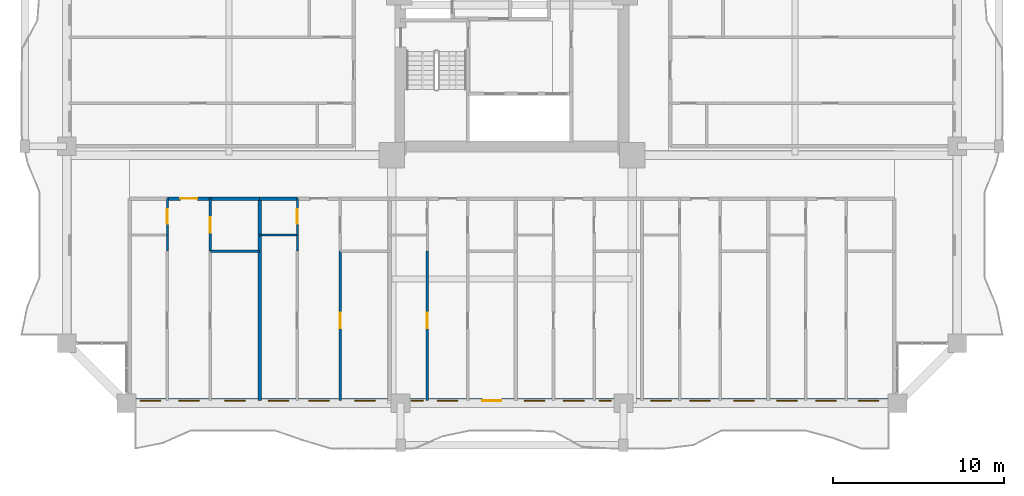
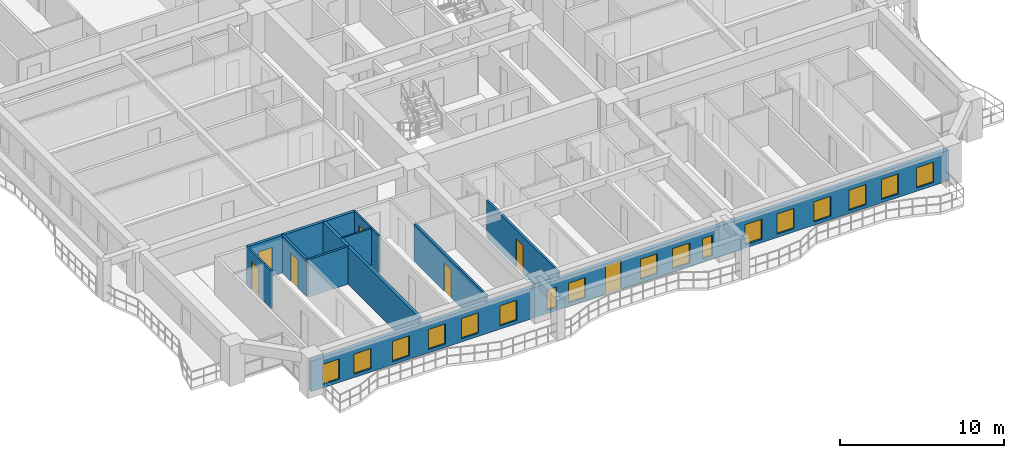
# One storey, part 14 of 28: 17 windows, 14 walls, 7 doors, 24 openings.
"""IFC4 building model written with IfcOpenShell, lengths in metres."""

from ifc_helpers import new_model, si_unit, direction, frame, frame_2d, origin, place, context, subcontext, project, spatial, rectangle, extrude, source, transform, mapped, material, layer, layer_set, type_object, element, fill, save


model = new_model("IFC4")

# Units and contexts
model_context = context("Model", 3, precision=1e-05, world=origin(), true_north=direction((0.0, 1.0)))
body_context = subcontext(model_context, "Body", "Model", "MODEL_VIEW")
ifc_project = project(units=[si_unit("LENGTHUNIT", "METRE"), si_unit("AREAUNIT", "SQUARE_METRE"), si_unit("VOLUMEUNIT", "CUBIC_METRE"), si_unit("PLANEANGLEUNIT", "RADIAN"), si_unit("MASSUNIT", "GRAM", prefix="KILO")], contexts=[model_context])

# Site, building, storey
site_placement = place(None, origin())
site = spatial("IfcSite", under=ifc_project, at=site_placement, CompositionType="ELEMENT")
building_placement = place(site_placement, origin())
building = spatial("IfcBuilding", under=site, at=building_placement, Name="Saelheon Loggia Tower", CompositionType="ELEMENT")
storey_placement = place(building_placement, frame((0.0, 0.0, 25.39990234375)))
storey = spatial("IfcBuildingStorey", under=building, at=storey_placement, Name="L07", CompositionType="ELEMENT", Elevation=25.39990234375)

# Wall, openings, windows, door
ifc_material_1 = material(Name="Architectural Precast Concrete C40/50", Category="concrete")
ifc_layer_1 = layer(ifc_material_1, 0.280029296875)
ifc_layer_set_1 = layer_set([ifc_layer_1], Name="Architectural Precast Concrete C40/50")
wall_type_1 = type_object("IfcWallType", Name="Wall_Ext_Loggia_280", PredefinedType="SOLIDWALL", material=ifc_layer_set_1)
wall_1_placement = place(storey_placement, frame((15.5, 3.139892578125, 0.0), z_axis=(0.0, 0.0, 1.0), x_axis=(1.0, 0.0, 0.0)))
wall_1 = element("IfcWall", 1, at=wall_1_placement, inside=storey, type_object=wall_type_1, Name="L07 South Loggia Inner Wall", PredefinedType="SOLIDWALL", context=body_context, shape_type="SweptSolid", body=[
    extrude(rectangle(XDim=45.0, YDim=0.280029296875, at=frame_2d((22.5, 0.0))), origin(), (0.0, 0.0, 1.0), 2.280029296875),
])
opening_1_placement = place(wall_1_placement, frame((0.784912109375, 0.0, 0.25)))
opening_1 = element("IfcOpeningElement", 2, at=opening_1_placement, cuts=wall_1, Name="Opening WN-03", PredefinedType="OPENING", context=body_context, shape_type="SweptSolid", body=[
    extrude(rectangle(XDim=1.199951171875, YDim=1.5, at=frame_2d((0.60009765625, 0.75))), frame((0.0, 0.152099609375, 0.0), z_axis=(0.0, -1.0, 0.0), x_axis=(1.0, 0.0, 0.0)), (0.0, 0.0, 1.0), 0.303955078125),
])
opening_2_placement = place(wall_1_placement, frame((3.03271484375, 0.0, 0.25)))
opening_2 = element("IfcOpeningElement", 3, at=opening_2_placement, cuts=wall_1, Name="Opening WN-03", PredefinedType="OPENING", context=body_context, shape_type="SweptSolid", body=[
    extrude(rectangle(XDim=1.199951171875, YDim=1.5, at=frame_2d((0.60009765625, 0.75))), frame((0.0, 0.152099609375, 0.0), z_axis=(0.0, -1.0, 0.0), x_axis=(1.0, 0.0, 0.0)), (0.0, 0.0, 1.0), 0.303955078125),
])
opening_3_placement = place(wall_1_placement, frame((5.72705078125, 0.0, 0.25)))
opening_3 = element("IfcOpeningElement", 4, at=opening_3_placement, cuts=wall_1, Name="Opening WN-03", PredefinedType="OPENING", context=body_context, shape_type="SweptSolid", body=[
    extrude(rectangle(XDim=1.199951171875, YDim=1.5, at=frame_2d((0.60009765625, 0.75))), frame((0.0, 0.152099609375, 0.0), z_axis=(0.0, -1.0, 0.0), x_axis=(1.0, 0.0, 0.0)), (0.0, 0.0, 1.0), 0.303955078125),
])
opening_4_placement = place(wall_1_placement, frame((8.268798828125, 0.0, 0.25)))
opening_4 = element("IfcOpeningElement", 5, at=opening_4_placement, cuts=wall_1, Name="Opening WN-03", PredefinedType="OPENING", context=body_context, shape_type="SweptSolid", body=[
    extrude(rectangle(XDim=1.199951171875, YDim=1.5, at=frame_2d((0.60009765625, 0.75))), frame((0.0, 0.152099609375, 0.0), z_axis=(0.0, -1.0, 0.0), x_axis=(1.0, 0.0, 0.0)), (0.0, 0.0, 1.0), 0.303955078125),
])
opening_5_placement = place(wall_1_placement, frame((10.621337890625, 0.0, 0.25)))
opening_5 = element("IfcOpeningElement", 6, at=opening_5_placement, cuts=wall_1, Name="Opening WN-03", PredefinedType="OPENING", context=body_context, shape_type="SweptSolid", body=[
    extrude(rectangle(XDim=1.199951171875, YDim=1.5, at=frame_2d((0.60009765625, 0.75))), frame((0.0, 0.152099609375, 0.0), z_axis=(0.0, -1.0, 0.0), x_axis=(1.0, 0.0, 0.0)), (0.0, 0.0, 1.0), 0.303955078125),
])
opening_6_placement = place(wall_1_placement, frame((13.31591796875, 0.0, 0.25)))
opening_6 = element("IfcOpeningElement", 7, at=opening_6_placement, cuts=wall_1, Name="Opening WN-03", PredefinedType="OPENING", context=body_context, shape_type="SweptSolid", body=[
    extrude(rectangle(XDim=1.199951171875, YDim=1.5, at=frame_2d((0.60009765625, 0.75))), frame((0.0, 0.152099609375, 0.0), z_axis=(0.0, -1.0, 0.0), x_axis=(1.0, 0.0, 0.0)), (0.0, 0.0, 1.0), 0.303955078125),
])
opening_7_placement = place(wall_1_placement, frame((16.623779296875, 0.0, 0.25)))
opening_7 = element("IfcOpeningElement", 8, at=opening_7_placement, cuts=wall_1, Name="Opening WN-06", PredefinedType="OPENING", context=body_context, shape_type="SweptSolid", body=[
    extrude(rectangle(XDim=0.699951171875, YDim=1.5, at=frame_2d((0.35009765625, 0.75))), frame((0.0, 0.152099609375, 0.0), z_axis=(0.0, -1.0, 0.0), x_axis=(1.0, 0.0, 0.0)), (0.0, 0.0, 1.0), 0.303955078125),
])
opening_8_placement = place(wall_1_placement, frame((18.14111328125, 0.0, 0.25)))
opening_8 = element("IfcOpeningElement", 9, at=opening_8_placement, cuts=wall_1, Name="Opening WN-03", PredefinedType="OPENING", context=body_context, shape_type="SweptSolid", body=[
    extrude(rectangle(XDim=1.199951171875, YDim=1.5, at=frame_2d((0.60009765625, 0.75))), frame((0.0, 0.152099609375, 0.0), z_axis=(0.0, -1.0, 0.0), x_axis=(1.0, 0.0, 0.0)), (0.0, 0.0, 1.0), 0.303955078125),
])
opening_9_placement = place(wall_1_placement, frame((21.873779296875, 0.0, 0.0), z_axis=(0.0, 0.0, 1.0), x_axis=(-1.0, 0.0, 0.0)))
opening_9 = element("IfcOpeningElement", 10, at=opening_9_placement, cuts=wall_1, Name="Opening TD1", PredefinedType="OPENING", context=body_context, shape_type="SweptSolid", body=[
    extrude(rectangle(XDim=1.10009765625, YDim=2.14990234375, at=frame_2d((0.550048828125, 1.074951171875))), frame((0.0, 0.152099609375, 0.0), z_axis=(0.0, -1.0, 0.0), x_axis=(1.0, 0.0, 0.0)), (0.0, 0.0, 1.0), 0.303955078125),
])
opening_10_placement = place(wall_1_placement, frame((23.22314453125, 0.0, 0.25)))
opening_10 = element("IfcOpeningElement", 11, at=opening_10_placement, cuts=wall_1, Name="Opening WN-03", PredefinedType="OPENING", context=body_context, shape_type="SweptSolid", body=[
    extrude(rectangle(XDim=1.199951171875, YDim=1.5, at=frame_2d((0.60009765625, 0.75))), frame((0.0, 0.152099609375, 0.0), z_axis=(0.0, -1.0, 0.0), x_axis=(1.0, 0.0, 0.0)), (0.0, 0.0, 1.0), 0.303955078125),
])
opening_11_placement = place(wall_1_placement, frame((25.506591796875, 0.0, 0.25)))
opening_11 = element("IfcOpeningElement", 12, at=opening_11_placement, cuts=wall_1, Name="Opening WN-03", PredefinedType="OPENING", context=body_context, shape_type="SweptSolid", body=[
    extrude(rectangle(XDim=1.199951171875, YDim=1.5, at=frame_2d((0.60009765625, 0.75))), frame((0.0, 0.152099609375, 0.0), z_axis=(0.0, -1.0, 0.0), x_axis=(1.0, 0.0, 0.0)), (0.0, 0.0, 1.0), 0.303955078125),
])
opening_12_placement = place(wall_1_placement, frame((27.599853515625, 0.0, 0.25)))
opening_12 = element("IfcOpeningElement", 13, at=opening_12_placement, cuts=wall_1, Name="Opening WN-06", PredefinedType="OPENING", context=body_context, shape_type="SweptSolid", body=[
    extrude(rectangle(XDim=0.699951171875, YDim=1.5, at=frame_2d((0.35009765625, 0.75))), frame((0.0, 0.152099609375, 0.0), z_axis=(0.0, -1.0, 0.0), x_axis=(1.0, 0.0, 0.0)), (0.0, 0.0, 1.0), 0.303955078125),
])
opening_13_placement = place(wall_1_placement, frame((30.5888671875, 0.0, 0.25)))
opening_13 = element("IfcOpeningElement", 14, at=opening_13_placement, cuts=wall_1, Name="Opening WN-03", PredefinedType="OPENING", context=body_context, shape_type="SweptSolid", body=[
    extrude(rectangle(XDim=1.199951171875, YDim=1.5, at=frame_2d((0.60009765625, 0.75))), frame((0.0, 0.152099609375, 0.0), z_axis=(0.0, -1.0, 0.0), x_axis=(1.0, 0.0, 0.0)), (0.0, 0.0, 1.0), 0.303955078125),
])
opening_14_placement = place(wall_1_placement, frame((32.8720703125, 0.0, 0.25)))
opening_14 = element("IfcOpeningElement", 15, at=opening_14_placement, cuts=wall_1, Name="Opening WN-03", PredefinedType="OPENING", context=body_context, shape_type="SweptSolid", body=[
    extrude(rectangle(XDim=1.199951171875, YDim=1.5, at=frame_2d((0.60009765625, 0.75))), frame((0.0, 0.152099609375, 0.0), z_axis=(0.0, -1.0, 0.0), x_axis=(1.0, 0.0, 0.0)), (0.0, 0.0, 1.0), 0.303955078125),
])
opening_15_placement = place(wall_1_placement, frame((35.455078125, 0.0, 0.25)))
opening_15 = element("IfcOpeningElement", 16, at=opening_15_placement, cuts=wall_1, Name="Opening WN-03", PredefinedType="OPENING", context=body_context, shape_type="SweptSolid", body=[
    extrude(rectangle(XDim=1.199951171875, YDim=1.5, at=frame_2d((0.60009765625, 0.75))), frame((0.0, 0.152099609375, 0.0), z_axis=(0.0, -1.0, 0.0), x_axis=(1.0, 0.0, 0.0)), (0.0, 0.0, 1.0), 0.303955078125),
])
opening_16_placement = place(wall_1_placement, frame((37.954345703125, 0.0, 0.25)))
opening_16 = element("IfcOpeningElement", 17, at=opening_16_placement, cuts=wall_1, Name="Opening WN-03", PredefinedType="OPENING", context=body_context, shape_type="SweptSolid", body=[
    extrude(rectangle(XDim=1.199951171875, YDim=1.5, at=frame_2d((0.60009765625, 0.75))), frame((0.0, 0.152099609375, 0.0), z_axis=(0.0, -1.0, 0.0), x_axis=(1.0, 0.0, 0.0)), (0.0, 0.0, 1.0), 0.303955078125),
])
opening_17_placement = place(wall_1_placement, frame((40.23779296875, 0.0, 0.25)))
opening_17 = element("IfcOpeningElement", 18, at=opening_17_placement, cuts=wall_1, Name="Opening WN-03", PredefinedType="OPENING", context=body_context, shape_type="SweptSolid", body=[
    extrude(rectangle(XDim=1.199951171875, YDim=1.5, at=frame_2d((0.60009765625, 0.75))), frame((0.0, 0.152099609375, 0.0), z_axis=(0.0, -1.0, 0.0), x_axis=(1.0, 0.0, 0.0)), (0.0, 0.0, 1.0), 0.303955078125),
])
opening_18_placement = place(wall_1_placement, frame((42.715576171875, 0.0, 0.25)))
opening_18 = element("IfcOpeningElement", 19, at=opening_18_placement, cuts=wall_1, Name="Opening WN-03", PredefinedType="OPENING", context=body_context, shape_type="SweptSolid", body=[
    extrude(rectangle(XDim=1.199951171875, YDim=1.5, at=frame_2d((0.60009765625, 0.75))), frame((0.0, 0.152099609375, 0.0), z_axis=(0.0, -1.0, 0.0), x_axis=(1.0, 0.0, 0.0)), (0.0, 0.0, 1.0), 0.303955078125),
])
ifc_material_2 = material(Name="Thermal-Break Aluminium and Triple Low-E Glass", Category="aluminium")
window_type_1 = type_object("IfcWindowType", Name="Win_Slot_700x1500", PartitioningType="SINGLE_PANEL", PredefinedType="WINDOW", material=ifc_material_2)
shared_shape_1 = source(origin(), body_context, "Body", "SweptSolid", [
    extrude(rectangle(XDim=0.699951171875, YDim=1.5, at=frame_2d((0.35009765625, 0.75))), frame((0.0, 0.030029296875, 0.0), z_axis=(0.0, -1.0, 0.0), x_axis=(1.0, 0.0, 0.0)), (0.0, 0.0, 1.0), 0.06005859375),
])
window_1_placement = place(opening_7_placement, origin())
window_1 = element("IfcWindow", 20, at=window_1_placement, inside=storey, type_object=window_type_1, Name="L07 S Dwelling Window 7", OverallHeight=1.5, OverallWidth=0.699951171875, PartitioningType="SINGLE_PANEL", PredefinedType="WINDOW", context=body_context, shape_type="MappedRepresentation", body=[
    mapped(shared_shape_1, transform((0.0, 0.0, 0.0), scale=1.0)),
])
fill(opening_7, window_1)
window_2_placement = place(opening_12_placement, origin())
window_2 = element("IfcWindow", 21, at=window_2_placement, inside=storey, type_object=window_type_1, Name="L07 S Dwelling Window 12", OverallHeight=1.5, OverallWidth=0.699951171875, PartitioningType="SINGLE_PANEL", PredefinedType="WINDOW", context=body_context, shape_type="MappedRepresentation", body=[
    mapped(shared_shape_1, transform((0.0, 0.0, 0.0), scale=1.0)),
])
fill(opening_12, window_2)
window_type_2 = type_object("IfcWindowType", Name="Win_Bedroom_1200x1500", PartitioningType="SINGLE_PANEL", PredefinedType="WINDOW", material=ifc_material_2)
shared_shape_2 = source(origin(), body_context, "Body", "SweptSolid", [
    extrude(rectangle(XDim=1.199951171875, YDim=1.5, at=frame_2d((0.60009765625, 0.75))), frame((0.0, 0.030029296875, 0.0), z_axis=(0.0, -1.0, 0.0), x_axis=(1.0, 0.0, 0.0)), (0.0, 0.0, 1.0), 0.06005859375),
])
window_3_placement = place(opening_1_placement, origin())
window_3 = element("IfcWindow", 22, at=window_3_placement, inside=storey, type_object=window_type_2, Name="L07 S Dwelling Window 1", OverallHeight=1.5, OverallWidth=1.199951171875, PartitioningType="SINGLE_PANEL", PredefinedType="WINDOW", context=body_context, shape_type="MappedRepresentation", body=[
    mapped(shared_shape_2, transform((0.0, 0.0, 0.0), scale=1.0)),
])
fill(opening_1, window_3)
window_4_placement = place(opening_2_placement, origin())
window_4 = element("IfcWindow", 23, at=window_4_placement, inside=storey, type_object=window_type_2, Name="L07 S Dwelling Window 2", OverallHeight=1.5, OverallWidth=1.199951171875, PartitioningType="SINGLE_PANEL", PredefinedType="WINDOW", context=body_context, shape_type="MappedRepresentation", body=[
    mapped(shared_shape_2, transform((0.0, 0.0, 0.0), scale=1.0)),
])
fill(opening_2, window_4)
window_5_placement = place(opening_3_placement, origin())
window_5 = element("IfcWindow", 24, at=window_5_placement, inside=storey, type_object=window_type_2, Name="L07 S Dwelling Window 3", OverallHeight=1.5, OverallWidth=1.199951171875, PartitioningType="SINGLE_PANEL", PredefinedType="WINDOW", context=body_context, shape_type="MappedRepresentation", body=[
    mapped(shared_shape_2, transform((0.0, 0.0, 0.0), scale=1.0)),
])
fill(opening_3, window_5)
window_6_placement = place(opening_4_placement, origin())
window_6 = element("IfcWindow", 25, at=window_6_placement, inside=storey, type_object=window_type_2, Name="L07 S Dwelling Window 4", OverallHeight=1.5, OverallWidth=1.199951171875, PartitioningType="SINGLE_PANEL", PredefinedType="WINDOW", context=body_context, shape_type="MappedRepresentation", body=[
    mapped(shared_shape_2, transform((0.0, 0.0, 0.0), scale=1.0)),
])
fill(opening_4, window_6)
window_7_placement = place(opening_5_placement, origin())
window_7 = element("IfcWindow", 26, at=window_7_placement, inside=storey, type_object=window_type_2, Name="L07 S Dwelling Window 5", OverallHeight=1.5, OverallWidth=1.199951171875, PartitioningType="SINGLE_PANEL", PredefinedType="WINDOW", context=body_context, shape_type="MappedRepresentation", body=[
    mapped(shared_shape_2, transform((0.0, 0.0, 0.0), scale=1.0)),
])
fill(opening_5, window_7)
window_8_placement = place(opening_6_placement, origin())
window_8 = element("IfcWindow", 27, at=window_8_placement, inside=storey, type_object=window_type_2, Name="L07 S Dwelling Window 6", OverallHeight=1.5, OverallWidth=1.199951171875, PartitioningType="SINGLE_PANEL", PredefinedType="WINDOW", context=body_context, shape_type="MappedRepresentation", body=[
    mapped(shared_shape_2, transform((0.0, 0.0, 0.0), scale=1.0)),
])
fill(opening_6, window_8)
window_9_placement = place(opening_8_placement, origin())
window_9 = element("IfcWindow", 28, at=window_9_placement, inside=storey, type_object=window_type_2, Name="L07 S Dwelling Window 8", OverallHeight=1.5, OverallWidth=1.199951171875, PartitioningType="SINGLE_PANEL", PredefinedType="WINDOW", context=body_context, shape_type="MappedRepresentation", body=[
    mapped(shared_shape_2, transform((0.0, 0.0, 0.0), scale=1.0)),
])
fill(opening_8, window_9)
window_10_placement = place(opening_10_placement, origin())
window_10 = element("IfcWindow", 29, at=window_10_placement, inside=storey, type_object=window_type_2, Name="L07 S Dwelling Window 10", OverallHeight=1.5, OverallWidth=1.199951171875, PartitioningType="SINGLE_PANEL", PredefinedType="WINDOW", context=body_context, shape_type="MappedRepresentation", body=[
    mapped(shared_shape_2, transform((0.0, 0.0, 0.0), scale=1.0)),
])
fill(opening_10, window_10)
window_11_placement = place(opening_11_placement, origin())
window_11 = element("IfcWindow", 30, at=window_11_placement, inside=storey, type_object=window_type_2, Name="L07 S Dwelling Window 11", OverallHeight=1.5, OverallWidth=1.199951171875, PartitioningType="SINGLE_PANEL", PredefinedType="WINDOW", context=body_context, shape_type="MappedRepresentation", body=[
    mapped(shared_shape_2, transform((0.0, 0.0, 0.0), scale=1.0)),
])
fill(opening_11, window_11)
window_12_placement = place(opening_13_placement, origin())
window_12 = element("IfcWindow", 31, at=window_12_placement, inside=storey, type_object=window_type_2, Name="L07 S Dwelling Window 13", OverallHeight=1.5, OverallWidth=1.199951171875, PartitioningType="SINGLE_PANEL", PredefinedType="WINDOW", context=body_context, shape_type="MappedRepresentation", body=[
    mapped(shared_shape_2, transform((0.0, 0.0, 0.0), scale=1.0)),
])
fill(opening_13, window_12)
window_13_placement = place(opening_14_placement, origin())
window_13 = element("IfcWindow", 32, at=window_13_placement, inside=storey, type_object=window_type_2, Name="L07 S Dwelling Window 14", OverallHeight=1.5, OverallWidth=1.199951171875, PartitioningType="SINGLE_PANEL", PredefinedType="WINDOW", context=body_context, shape_type="MappedRepresentation", body=[
    mapped(shared_shape_2, transform((0.0, 0.0, 0.0), scale=1.0)),
])
fill(opening_14, window_13)
window_14_placement = place(opening_15_placement, origin())
window_14 = element("IfcWindow", 33, at=window_14_placement, inside=storey, type_object=window_type_2, Name="L07 S Dwelling Window 15", OverallHeight=1.5, OverallWidth=1.199951171875, PartitioningType="SINGLE_PANEL", PredefinedType="WINDOW", context=body_context, shape_type="MappedRepresentation", body=[
    mapped(shared_shape_2, transform((0.0, 0.0, 0.0), scale=1.0)),
])
fill(opening_15, window_14)
window_15_placement = place(opening_16_placement, origin())
window_15 = element("IfcWindow", 34, at=window_15_placement, inside=storey, type_object=window_type_2, Name="L07 S Dwelling Window 16", OverallHeight=1.5, OverallWidth=1.199951171875, PartitioningType="SINGLE_PANEL", PredefinedType="WINDOW", context=body_context, shape_type="MappedRepresentation", body=[
    mapped(shared_shape_2, transform((0.0, 0.0, 0.0), scale=1.0)),
])
fill(opening_16, window_15)
window_16_placement = place(opening_17_placement, origin())
window_16 = element("IfcWindow", 35, at=window_16_placement, inside=storey, type_object=window_type_2, Name="L07 S Dwelling Window 17", OverallHeight=1.5, OverallWidth=1.199951171875, PartitioningType="SINGLE_PANEL", PredefinedType="WINDOW", context=body_context, shape_type="MappedRepresentation", body=[
    mapped(shared_shape_2, transform((0.0, 0.0, 0.0), scale=1.0)),
])
fill(opening_17, window_16)
window_17_placement = place(opening_18_placement, origin())
window_17 = element("IfcWindow", 36, at=window_17_placement, inside=storey, type_object=window_type_2, Name="L07 S Dwelling Window 18", OverallHeight=1.5, OverallWidth=1.199951171875, PartitioningType="SINGLE_PANEL", PredefinedType="WINDOW", context=body_context, shape_type="MappedRepresentation", body=[
    mapped(shared_shape_2, transform((0.0, 0.0, 0.0), scale=1.0)),
])
fill(opening_18, window_17)
ifc_material_3 = material(Name="Thermal-Break Aluminium Glazed Door", Category="aluminium")
door_type_1 = type_object("IfcDoorType", Name="Door_Terrace_TD1", OperationType="NOTDEFINED", PredefinedType="DOOR", material=ifc_material_3)
shared_shape_3 = source(origin(), body_context, "Body", "SweptSolid", [
    extrude(rectangle(XDim=1.10009765625, YDim=2.14990234375, at=frame_2d((0.550048828125, 1.074951171875))), frame((0.0, 0.02490234375, 0.0), z_axis=(0.0, -1.0, 0.0), x_axis=(1.0, 0.0, 0.0)), (0.0, 0.0, 1.0), 0.050048828125),
])
door_1_placement = place(opening_9_placement, origin())
door_1 = element("IfcDoor", 37, at=door_1_placement, inside=storey, type_object=door_type_1, Name="L07 S Loggia Access Door", OperationType="SINGLE_SWING_LEFT", OverallHeight=2.14990234375, OverallWidth=1.10009765625, PredefinedType="DOOR", context=body_context, shape_type="MappedRepresentation", body=[
    mapped(shared_shape_3, transform((0.0, 0.0, 0.0), scale=1.0)),
])
fill(opening_9, door_1)

# Wall
ifc_material_4 = material(Name="Lightweight Autoclaved Aerated Concrete Block and Acoustic Gypsum", Category="concrete")
ifc_layer_2 = layer(ifc_material_4, 0.14990234375)
ifc_layer_set_2 = layer_set([ifc_layer_2], Name="Lightweight Autoclaved Aerated Concrete Block and Acoustic Gypsum")
wall_type_2 = type_object("IfcWallType", Name="Wall_Part_150", PredefinedType="PARTITIONING", material=ifc_layer_set_2)
wall_2_placement = place(storey_placement, frame((20.385009765625, 11.8798828125, 0.0), z_axis=(0.0, 0.0, 1.0), x_axis=(1.0, 0.0, 0.0)))
element("IfcWall", 38, at=wall_2_placement, inside=storey, type_object=wall_type_2, Name="L07 S Partition V07", PredefinedType="PARTITIONING", context=body_context, shape_type="SweptSolid", body=[
    extrude(rectangle(XDim=2.8837890625, YDim=0.14990234375, at=frame_2d((1.44189453125, 0.0))), origin(), (0.0, 0.0, 1.0), 2.7900390625),
])

# Wall, opening, door
wall_3_placement = place(storey_placement, frame((20.385009765625, 14.949951171875, 0.0), z_axis=(0.0, 0.0, 1.0), x_axis=(0.0, -1.0, 0.0)))
wall_3 = element("IfcWall", 39, at=wall_3_placement, inside=storey, type_object=wall_type_2, Name="L07 S Partition U11", PredefinedType="PARTITIONING", context=body_context, shape_type="SweptSolid", body=[
    extrude(rectangle(XDim=3.070068359375, YDim=0.14990234375, at=frame_2d((1.53515625, 0.0))), origin(), (0.0, 0.0, 1.0), 2.7900390625),
])
opening_19_placement = place(wall_3_placement, frame((1.0849609375, 0.0, 0.0)))
opening_19 = element("IfcOpeningElement", 40, at=opening_19_placement, cuts=wall_3, Name="Opening D-IN2", PredefinedType="OPENING", context=body_context, shape_type="SweptSolid", body=[
    extrude(rectangle(XDim=0.89990234375, YDim=2.10009765625, at=frame_2d((0.449951171875, 1.050048828125))), frame((0.0, 0.0869140625, 0.0), z_axis=(0.0, -1.0, 0.0), x_axis=(1.0, 0.0, 0.0)), (0.0, 0.0, 1.0), 0.173828125),
])
ifc_material_5 = material(Name="Engineered Oak Flush Door", Category="timber")
door_type_2 = type_object("IfcDoorType", Name="Door_Int_900", OperationType="NOTDEFINED", PredefinedType="DOOR", material=ifc_material_5)
shared_shape_4 = source(origin(), body_context, "Body", "SweptSolid", [
    extrude(rectangle(XDim=0.89990234375, YDim=2.10009765625, at=frame_2d((0.449951171875, 1.050048828125))), frame((0.0, 0.02490234375, 0.0), z_axis=(0.0, -1.0, 0.0), x_axis=(1.0, 0.0, 0.0)), (0.0, 0.0, 1.0), 0.050048828125),
])
door_2_placement = place(opening_19_placement, origin())
door_2 = element("IfcDoor", 41, at=door_2_placement, inside=storey, type_object=door_type_2, Name="Unit U01 Dressing Closet Door", OperationType="SINGLE_SWING_RIGHT", OverallHeight=2.10009765625, OverallWidth=0.89990234375, PredefinedType="DOOR", context=body_context, shape_type="MappedRepresentation", body=[
    mapped(shared_shape_4, transform((0.0, 0.0, 0.0), scale=1.0)),
])
fill(opening_19, door_2)

wall_4_placement = place(storey_placement, frame((27.973876953125, 11.8798828125, 0.0), z_axis=(0.0, 0.0, 1.0), x_axis=(0.0, -1.0, 0.0)))
wall_4 = element("IfcWall", 42, at=wall_4_placement, inside=storey, type_object=wall_type_2, Name="L07 S Partition U23", PredefinedType="PARTITIONING", context=body_context, shape_type="SweptSolid", body=[
    extrude(rectangle(XDim=8.72998046875, YDim=0.14990234375, at=frame_2d((4.364990234375, 0.0))), origin(), (0.0, 0.0, 1.0), 2.7900390625),
])
opening_20_placement = place(wall_4_placement, frame((3.608642578125, 0.0, 0.0)))
opening_20 = element("IfcOpeningElement", 43, at=opening_20_placement, cuts=wall_4, Name="Opening D-IN2", PredefinedType="OPENING", context=body_context, shape_type="SweptSolid", body=[
    extrude(rectangle(XDim=0.89990234375, YDim=2.10009765625, at=frame_2d((0.449951171875, 1.050048828125))), frame((0.0, 0.0869140625, 0.0), z_axis=(0.0, -1.0, 0.0), x_axis=(1.0, 0.0, 0.0)), (0.0, 0.0, 1.0), 0.173828125),
])
door_3_placement = place(opening_20_placement, origin())
door_3 = element("IfcDoor", 44, at=door_3_placement, inside=storey, type_object=door_type_2, Name="Unit U02 Bedroom 1 Door", OperationType="SINGLE_SWING_RIGHT", OverallHeight=2.10009765625, OverallWidth=0.89990234375, PredefinedType="DOOR", context=body_context, shape_type="MappedRepresentation", body=[
    mapped(shared_shape_4, transform((0.0, 0.0, 0.0), scale=1.0)),
])
fill(opening_20, door_3)

wall_5_placement = place(storey_placement, frame((33.0576171875, 11.8798828125, 0.0), z_axis=(0.0, 0.0, 1.0), x_axis=(0.0, -1.0, 0.0)))
wall_5 = element("IfcWall", 45, at=wall_5_placement, inside=storey, type_object=wall_type_2, Name="L07 S Partition U32", PredefinedType="PARTITIONING", context=body_context, shape_type="SweptSolid", body=[
    extrude(rectangle(XDim=8.72998046875, YDim=0.14990234375, at=frame_2d((4.364990234375, 0.0))), origin(), (0.0, 0.0, 1.0), 2.7900390625),
])
opening_21_placement = place(wall_5_placement, frame((3.608642578125, 0.0, 0.0)))
opening_21 = element("IfcOpeningElement", 46, at=opening_21_placement, cuts=wall_5, Name="Opening D-IN2", PredefinedType="OPENING", context=body_context, shape_type="SweptSolid", body=[
    extrude(rectangle(XDim=0.89990234375, YDim=2.10009765625, at=frame_2d((0.449951171875, 1.050048828125))), frame((0.0, 0.0869140625, 0.0), z_axis=(0.0, -1.0, 0.0), x_axis=(1.0, 0.0, 0.0)), (0.0, 0.0, 1.0), 0.173828125),
])
door_4_placement = place(opening_21_placement, origin())
door_4 = element("IfcDoor", 47, at=door_4_placement, inside=storey, type_object=door_type_2, Name="Unit U03 Kitchen Door", OperationType="SINGLE_SWING_LEFT", OverallHeight=2.10009765625, OverallWidth=0.89990234375, PredefinedType="DOOR", context=body_context, shape_type="MappedRepresentation", body=[
    mapped(shared_shape_4, transform((0.0, 0.0, 0.0), scale=1.0)),
])
fill(opening_21, door_4)

ifc_material_6 = material(Name="Double Acoustic Stud and Fireboard Partition", Category="gypsum")
ifc_layer_3 = layer(ifc_material_6, 0.199951171875)
ifc_layer_set_3 = layer_set([ifc_layer_3], Name="Double Acoustic Stud and Fireboard Partition")
wall_type_3 = type_object("IfcWallType", Name="Wall_Party_200", PredefinedType="PARTITIONING", material=ifc_layer_set_3)
wall_6_placement = place(storey_placement, frame((17.8798828125, 14.949951171875, 0.0), z_axis=(0.0, 0.0, 1.0), x_axis=(1.0, 0.0, 0.0)))
wall_6 = element("IfcWall", 48, at=wall_6_placement, inside=storey, type_object=wall_type_3, Name="L07 S Partition V04", PredefinedType="PARTITIONING", context=body_context, shape_type="SweptSolid", body=[
    extrude(rectangle(XDim=2.505126953125, YDim=0.199951171875, at=frame_2d((1.25244140625, 0.0))), origin(), (0.0, 0.0, 1.0), 2.7900390625),
])
opening_22_placement = place(wall_6_placement, frame((0.752685546875, 0.0, 0.0)))
opening_22 = element("IfcOpeningElement", 49, at=opening_22_placement, cuts=wall_6, Name="Opening D-FD1", PredefinedType="OPENING", context=body_context, shape_type="SweptSolid", body=[
    extrude(rectangle(XDim=1.0, YDim=2.14990234375, at=frame_2d((0.5, 1.074951171875))), frame((0.0, 0.112060546875, 0.0), z_axis=(0.0, -1.0, 0.0), x_axis=(1.0, 0.0, 0.0)), (0.0, 0.0, 1.0), 0.223876953125),
])
ifc_material_7 = material(Name="Fire-Rated Engineered Timber Entrance Door", Category="wood")
door_type_3 = type_object("IfcDoorType", Name="Door_Flat_FD30S", OperationType="NOTDEFINED", PredefinedType="DOOR", material=ifc_material_7)
shared_shape_5 = source(origin(), body_context, "Body", "SweptSolid", [
    extrude(rectangle(XDim=1.0, YDim=2.14990234375, at=frame_2d((0.5, 1.074951171875))), frame((0.0, 0.02490234375, 0.0), z_axis=(0.0, -1.0, 0.0), x_axis=(1.0, 0.0, 0.0)), (0.0, 0.0, 1.0), 0.050048828125),
])
door_5_placement = place(opening_22_placement, origin())
door_5 = element("IfcDoor", 50, at=door_5_placement, inside=storey, type_object=door_type_3, Name="Unit U01 Entrance Door", OperationType="SINGLE_SWING_LEFT", OverallHeight=2.14990234375, OverallWidth=1.0, PredefinedType="DOOR", context=body_context, shape_type="MappedRepresentation", body=[
    mapped(shared_shape_5, transform((0.0, 0.0, 0.0), scale=1.0)),
])
fill(opening_22, door_5)

# Walls
wall_7_placement = place(storey_placement, frame((20.385009765625, 14.949951171875, 0.0), z_axis=(0.0, 0.0, 1.0), x_axis=(1.0, 0.0, 0.0)))
element("IfcWall", 51, at=wall_7_placement, inside=storey, type_object=wall_type_3, Name="L07 S Partition V05", PredefinedType="PARTITIONING", context=body_context, shape_type="SweptSolid", body=[
    extrude(rectangle(XDim=2.8837890625, YDim=0.199951171875, at=frame_2d((1.44189453125, 0.0))), origin(), (0.0, 0.0, 1.0), 2.7900390625),
])
wall_8_placement = place(storey_placement, frame((23.268798828125, 14.949951171875, 0.0), z_axis=(0.0, 0.0, 1.0), x_axis=(0.0, -1.0, 0.0)))
element("IfcWall", 52, at=wall_8_placement, inside=storey, type_object=wall_type_3, Name="L07 S Partition U13", PredefinedType="PARTITIONING", context=body_context, shape_type="SweptSolid", body=[
    extrude(rectangle(XDim=11.800048828125, YDim=0.199951171875, at=frame_2d((5.89990234375, 0.0))), origin(), (0.0, 0.0, 1.0), 2.7900390625),
])
wall_9_placement = place(storey_placement, frame((23.268798828125, 14.949951171875, 0.0), z_axis=(0.0, 0.0, 1.0), x_axis=(1.0, 0.0, 0.0)))
element("IfcWall", 53, at=wall_9_placement, inside=storey, type_object=wall_type_3, Name="L07 S Partition V14", PredefinedType="PARTITIONING", context=body_context, shape_type="SweptSolid", body=[
    extrude(rectangle(XDim=2.199951171875, YDim=0.199951171875, at=frame_2d((1.10009765625, 0.0))), origin(), (0.0, 0.0, 1.0), 2.7900390625),
])

# Wall, opening, door
ifc_material_8 = material(Name="Moisture-Resistant Cement Board Partition", Category="gypsum")
ifc_layer_4 = layer(ifc_material_8, 0.1201171875)
ifc_layer_set_4 = layer_set([ifc_layer_4], Name="Moisture-Resistant Cement Board Partition")
wall_type_4 = type_object("IfcWallType", Name="Wall_WetPart_120", PredefinedType="PARTITIONING", material=ifc_layer_set_4)
wall_10_placement = place(storey_placement, frame((17.8798828125, 14.949951171875, 0.0), z_axis=(0.0, 0.0, 1.0), x_axis=(0.0, -1.0, 0.0)))
wall_10 = element("IfcWall", 54, at=wall_10_placement, inside=storey, type_object=wall_type_4, Name="L07 S Partition U08", PredefinedType="PARTITIONING", context=body_context, shape_type="SweptSolid", body=[
    extrude(rectangle(XDim=2.119873046875, YDim=0.1201171875, at=frame_2d((1.06005859375, 0.0))), origin(), (0.0, 0.0, 1.0), 2.7900390625),
])
opening_23_placement = place(wall_10_placement, frame((0.635009765625, 0.0, 0.0)))
opening_23 = element("IfcOpeningElement", 55, at=opening_23_placement, cuts=wall_10, Name="Opening D-BT1", PredefinedType="OPENING", context=body_context, shape_type="SweptSolid", body=[
    extrude(rectangle(XDim=0.85009765625, YDim=2.050048828125, at=frame_2d((0.425048828125, 1.02490234375))), frame((0.0, 0.072021484375, 0.0), z_axis=(0.0, -1.0, 0.0), x_axis=(1.0, 0.0, 0.0)), (0.0, 0.0, 1.0), 0.14404296875),
])
ifc_material_9 = material(Name="Moisture-Resistant Laminate Timber Door", Category="wood")
door_type_4 = type_object("IfcDoorType", Name="Door_Bath_850", OperationType="NOTDEFINED", PredefinedType="DOOR", material=ifc_material_9)
shared_shape_6 = source(origin(), body_context, "Body", "SweptSolid", [
    extrude(rectangle(XDim=0.85009765625, YDim=2.050048828125, at=frame_2d((0.425048828125, 1.02490234375))), frame((0.0, 0.02490234375, 0.0), z_axis=(0.0, -1.0, 0.0), x_axis=(1.0, 0.0, 0.0)), (0.0, 0.0, 1.0), 0.050048828125),
])
door_6_placement = place(opening_23_placement, origin())
door_6 = element("IfcDoor", 56, at=door_6_placement, inside=storey, type_object=door_type_4, Name="Unit U01 Bathroom Door", OperationType="SINGLE_SWING_RIGHT", OverallHeight=2.050048828125, OverallWidth=0.85009765625, PredefinedType="DOOR", context=body_context, shape_type="MappedRepresentation", body=[
    mapped(shared_shape_6, transform((0.0, 0.0, 0.0), scale=1.0)),
])
fill(opening_23, door_6)

# Walls
wall_11_placement = place(storey_placement, frame((17.8798828125, 12.830078125, 0.0), z_axis=(0.0, 0.0, 1.0), x_axis=(0.0, -1.0, 0.0)))
element("IfcWall", 57, at=wall_11_placement, inside=storey, type_object=wall_type_4, Name="L07 S Partition U09", PredefinedType="PARTITIONING", context=body_context, shape_type="SweptSolid", body=[
    extrude(rectangle(XDim=0.9501953125, YDim=0.1201171875, at=frame_2d((0.47509765625, 0.0))), origin(), (0.0, 0.0, 1.0), 2.7900390625),
])
wall_12_placement = place(storey_placement, frame((23.268798828125, 12.830078125, 0.0), z_axis=(0.0, 0.0, 1.0), x_axis=(1.0, 0.0, 0.0)))
element("IfcWall", 58, at=wall_12_placement, inside=storey, type_object=wall_type_4, Name="L07 S Partition V17", PredefinedType="PARTITIONING", context=body_context, shape_type="SweptSolid", body=[
    extrude(rectangle(XDim=2.199951171875, YDim=0.1201171875, at=frame_2d((1.10009765625, 0.0))), origin(), (0.0, 0.0, 1.0), 2.7900390625),
])

# Wall, opening, door
wall_13_placement = place(storey_placement, frame((25.46875, 14.949951171875, 0.0), z_axis=(0.0, 0.0, 1.0), x_axis=(0.0, -1.0, 0.0)))
wall_13 = element("IfcWall", 59, at=wall_13_placement, inside=storey, type_object=wall_type_4, Name="L07 S Partition U19", PredefinedType="PARTITIONING", context=body_context, shape_type="SweptSolid", body=[
    extrude(rectangle(XDim=2.119873046875, YDim=0.1201171875, at=frame_2d((1.06005859375, 0.0))), origin(), (0.0, 0.0, 1.0), 2.7900390625),
])
opening_24_placement = place(wall_13_placement, frame((0.635009765625, 0.0, 0.0)))
opening_24 = element("IfcOpeningElement", 60, at=opening_24_placement, cuts=wall_13, Name="Opening D-BT1", PredefinedType="OPENING", context=body_context, shape_type="SweptSolid", body=[
    extrude(rectangle(XDim=0.85009765625, YDim=2.050048828125, at=frame_2d((0.425048828125, 1.02490234375))), frame((0.0, 0.072021484375, 0.0), z_axis=(0.0, -1.0, 0.0), x_axis=(1.0, 0.0, 0.0)), (0.0, 0.0, 1.0), 0.14404296875),
])
door_7_placement = place(opening_24_placement, origin())
door_7 = element("IfcDoor", 61, at=door_7_placement, inside=storey, type_object=door_type_4, Name="Unit U02 Bathroom Door", OperationType="SINGLE_SWING_LEFT", OverallHeight=2.050048828125, OverallWidth=0.85009765625, PredefinedType="DOOR", context=body_context, shape_type="MappedRepresentation", body=[
    mapped(shared_shape_6, transform((0.0, 0.0, 0.0), scale=1.0)),
])
fill(opening_24, door_7)

# Wall
wall_14_placement = place(storey_placement, frame((25.46875, 12.830078125, 0.0), z_axis=(0.0, 0.0, 1.0), x_axis=(0.0, -1.0, 0.0)))
element("IfcWall", 62, at=wall_14_placement, inside=storey, type_object=wall_type_4, Name="L07 S Partition U20", PredefinedType="PARTITIONING", context=body_context, shape_type="SweptSolid", body=[
    extrude(rectangle(XDim=0.9501953125, YDim=0.1201171875, at=frame_2d((0.47509765625, 0.0))), origin(), (0.0, 0.0, 1.0), 2.7900390625),
])

save(model, "model.ifc")
